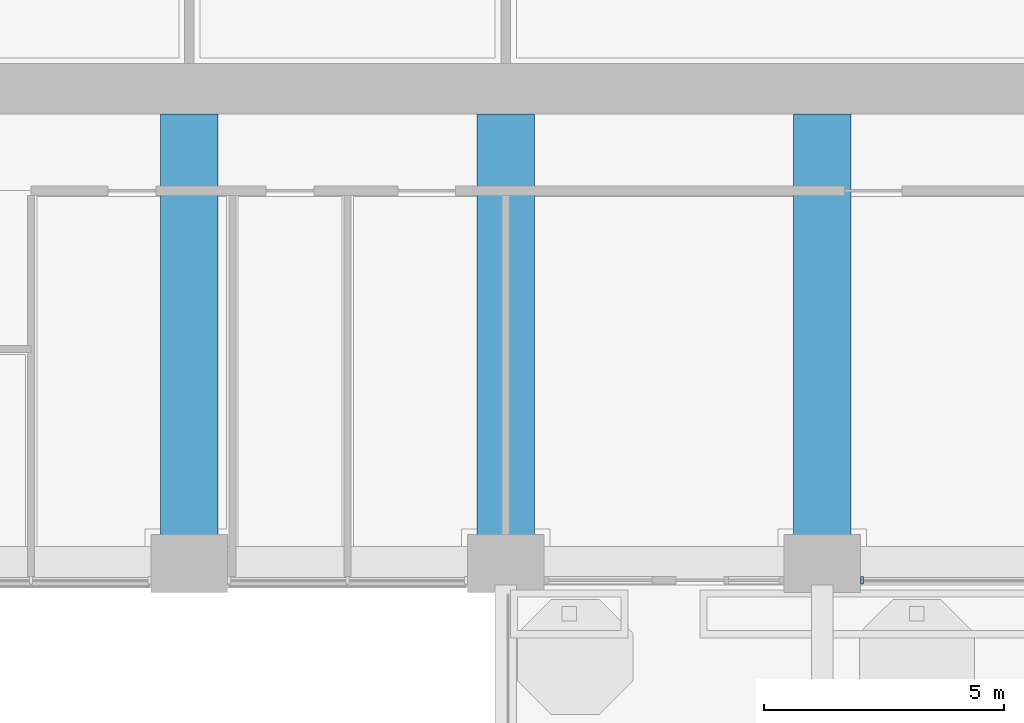
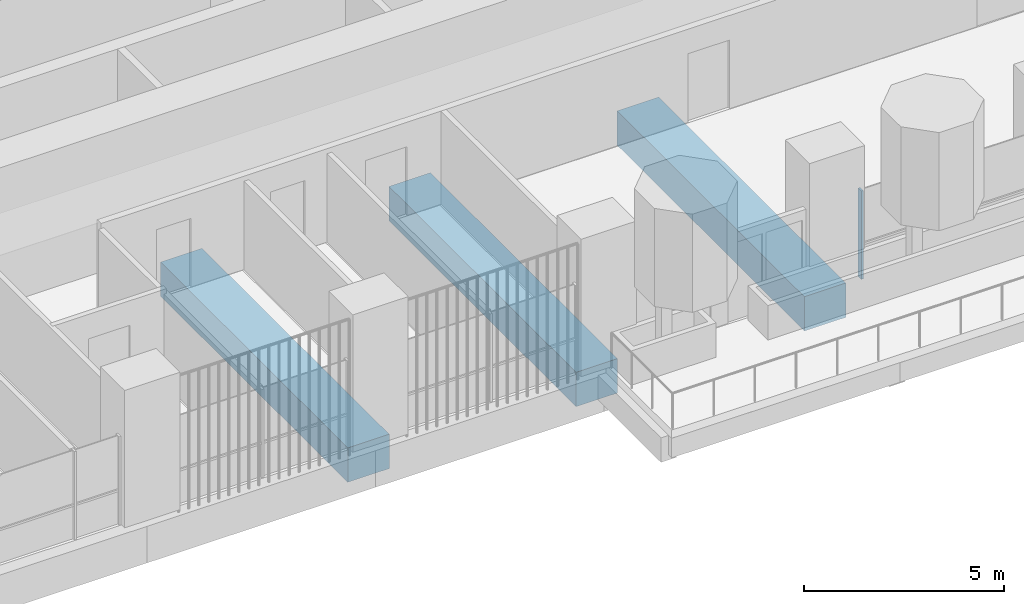
# One storey, part 3 of 19: 3 beams, 1 member, 1 element without a shape of its own.
"""IFC4 building model written with IfcOpenShell, lengths in metres."""

from ifc_helpers import new_model, si_unit, direction, frame, origin, origin_2d, place, context, subcontext, project, spatial, rectangle, extrude, material, material_profile, profile_set, type_object, element, aggregate, save


model = new_model("IFC4")

# Units and contexts
model_context = context("Model", 3, precision=1e-05, world=origin(), true_north=direction((0.0, 1.0)))
body_context = subcontext(model_context, "Body", "Model", "MODEL_VIEW")
ifc_project = project(units=[si_unit("LENGTHUNIT", "METRE"), si_unit("AREAUNIT", "SQUARE_METRE"), si_unit("VOLUMEUNIT", "CUBIC_METRE"), si_unit("PLANEANGLEUNIT", "RADIAN"), si_unit("MASSUNIT", "GRAM", prefix="KILO")], contexts=[model_context])

# Site, building, storey
site_placement = place(None, origin())
site = spatial("IfcSite", under=ifc_project, at=site_placement, CompositionType="ELEMENT")
building_placement = place(site_placement, origin())
building = spatial("IfcBuilding", under=site, at=building_placement, Name="Cobogo Forest Laboratory Tower", CompositionType="ELEMENT")
storey_placement = place(building_placement, frame((0.0, 0.0, 164.10009765625)))
storey = spatial("IfcBuildingStorey", under=building, at=storey_placement, Name="L37", CompositionType="ELEMENT", Elevation=164.10009765625)

# Beams
ifc_material_1 = material(Name="Concrete HA-40 (C40/50)", Category="concrete")
ifc_material_profile_1 = material_profile(ifc_material_1, rectangle(XDim=1.199951171875, YDim=1.050048828125, at=origin_2d()), Name="RC 1200x1050")
ifc_profile_set_1 = profile_set([ifc_material_profile_1], Name="Concrete HA-40 (C40/50)")
beam_type = type_object("IfcBeamType", Name="Laboratory floor wide beam 1200x1050", PredefinedType="BEAM", material=ifc_profile_set_1)
for number, where, z_axis, x_axis, name in (
    (1, (19.800048828125, 12.675048828125, -0.8251953125), (0.0, -1.0, 0.0), (1.0, 0.0, 0.0), "RB1 R-4-S L37"),
    (2, (26.39990234375, 12.675048828125, -0.8251953125), (0.0, -1.0, 0.0), (1.0, 0.0, 0.0), "RB1 R-5-S L37"),
    (3, (33.0, 12.675048828125, -0.8251953125), (0.0, -1.0, 0.0), (1.0, 0.0, 0.0), "RB1 R-6-S L37"),
):
    element("IfcBeam", number, at=place(storey_placement, frame(where, z_axis=z_axis, x_axis=x_axis)), inside=storey, type_object=beam_type, Name=name, PredefinedType="BEAM", context=body_context, shape_type="SweptSolid", body=[
        extrude(rectangle(XDim=1.199951171875, YDim=1.050048828125, at=origin_2d()), origin(), (0.0, 0.0, 1.0), 9.375),
    ])

# Curtain wall, member
ifc_material_2 = material(Name="Aluminium curtain wall", Category="aluminium")
curtain_wall_type = type_object("IfcCurtainWallType", Name="CW-2 unitised curtain wall, solar control glazing, laboratory floors zones C and D", PredefinedType="USERDEFINED", material=ifc_material_2)
curtain_wall_placement = place(storey_placement, origin())
curtain_wall = element("IfcCurtainWall", 4, at=curtain_wall_placement, inside=storey, type_object=curtain_wall_type, Name="Curtain wall 05 L37", ObjectType="UNITISED CURTAIN WALL", PredefinedType="USERDEFINED")
ifc_material_3 = material(Name="Aluminium mullion", Category="aluminium")
ifc_material_profile_2 = material_profile(ifc_material_3, rectangle(XDim=0.06005859375, YDim=0.159912109375, at=origin_2d()), Name="AL 60x160")
ifc_profile_set_2 = profile_set([ifc_material_profile_2], Name="Aluminium mullion")
member_type = type_object("IfcMemberType", Name="MU-1 aluminium mullion 60x160", PredefinedType="MULLION", material=ifc_profile_set_2)
member_placement = place(storey_placement, frame((33.830078125, 2.949951171875, 0.0), z_axis=(0.0, 0.0, 1.0), x_axis=(1.0, 0.0, 0.0)))
member = element("IfcMember", 5, at=member_placement, type_object=member_type, Name="CW-2 mullion 1", PredefinedType="MULLION", context=body_context, shape_type="SweptSolid", body=[
    extrude(rectangle(XDim=0.06005859375, YDim=0.159912109375, at=origin_2d()), origin(), (0.0, 0.0, 1.0), 2.699951171875),
])
aggregate(curtain_wall, [member])

save(model, "model.ifc")
